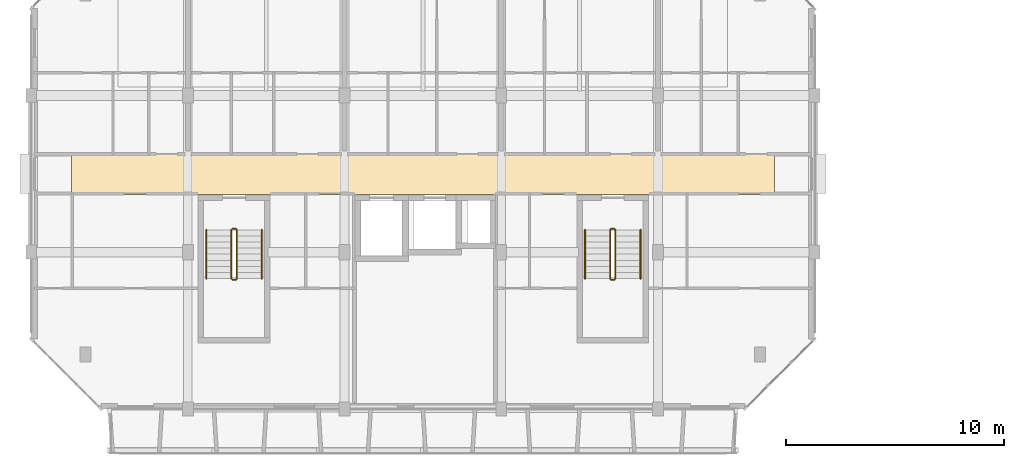
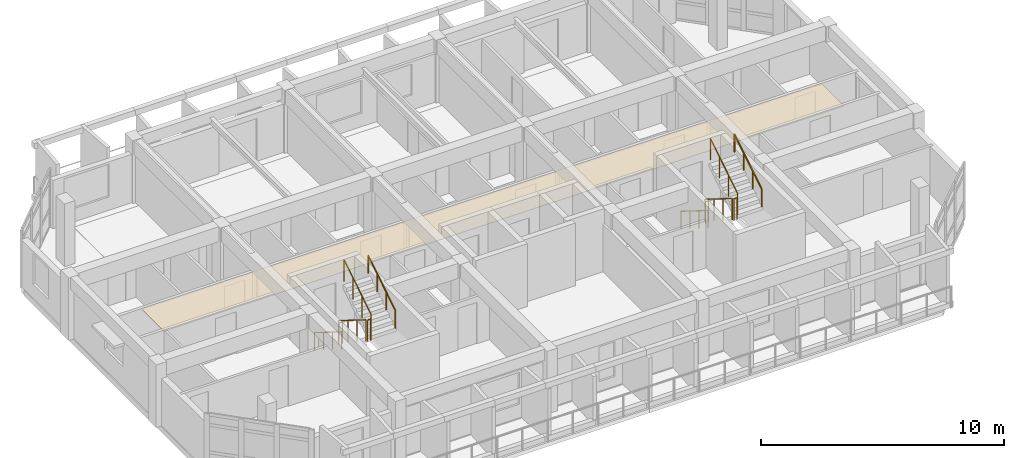
# One storey, part 45 of 51: 12 railings, 1 covering.
"""IFC4 building model written with IfcOpenShell, lengths in metres."""

import ifcopenshell
import ifcopenshell.guid

model = None  # the IFC model being written
_history = None  # IfcOwnerHistory: only IFC2X3 demands one
_inside = {}  # id of a spatial element -> (the spatial element, [elements in it])
_under = {}  # id of a project, library or spatial element -> (it, [spatial elements below it])
_declared = {}  # id of a project -> (the project, [libraries it declares])
_typed = {}  # id of a type object -> (the type object, [elements of that type])
_made_of = {}  # id of a material, layer set ... -> (it, [elements and type objects made of it])


def new_model(schema):
    """Start an empty IFC model of exactly this schema.

    Asked for "IFC4X3", IfcOpenShell would pick the latest addendum, in which some entities
    have other attributes; the version numbers below select the first issue.
    IFC2X3 requires an IfcOwnerHistory on every rooted entity: one is made here for all.
    """
    global model, _history
    if schema == "IFC4X3":
        model = ifcopenshell.file(schema_version=(4, 3, 0, 0))
    else:
        model = ifcopenshell.file(schema=schema)
    _inside.clear()
    _under.clear()
    _declared.clear()
    _typed.clear()
    _made_of.clear()
    _history = None
    if model.schema == "IFC2X3":
        org = make("IfcOrganization", Name="unknown")
        user = make(
            "IfcPersonAndOrganization",
            ThePerson=make("IfcPerson", FamilyName="unknown"),
            TheOrganization=org,
        )
        app = make(
            "IfcApplication",
            ApplicationDeveloper=org,
            Version="unknown",
            ApplicationFullName="unknown",
            ApplicationIdentifier="unknown",
        )
        _history = make(
            "IfcOwnerHistory",
            OwningUser=user,
            OwningApplication=app,
            ChangeAction="ADDED",
            CreationDate=0,
        )
    return model


def make(cls, **values):
    """One entity of the class cls with the attributes given. An attribute that is None is left unset."""
    return model.create_entity(
        cls, **{name: value for name, value in values.items() if value is not None}
    )


def rooted(cls, **values):
    """An entity with a GlobalId (a new one), such as an element, a storey or a relation."""
    return make(cls, GlobalId=ifcopenshell.guid.new(), OwnerHistory=_history, **values)


def si_unit(unit_type, name, prefix=None):
    """IfcSIUnit, for example si_unit("LENGTHUNIT", "METRE", prefix="MILLI")."""
    return make("IfcSIUnit", UnitType=unit_type, Prefix=prefix, Name=name)


def assignment(units):
    """IfcUnitAssignment: the units of a project."""
    return None if units is None else make("IfcUnitAssignment", Units=units)


def point(xyz):
    """IfcCartesianPoint."""
    return None if xyz is None else make("IfcCartesianPoint", Coordinates=xyz)


def direction(xyz):
    """IfcDirection."""
    return None if xyz is None else make("IfcDirection", DirectionRatios=xyz)


def frame(location, z_axis=None, x_axis=None):
    """IfcAxis2Placement3D, a coordinate frame: its origin and axes. An axis left out is left unset."""
    return make(
        "IfcAxis2Placement3D",
        Location=point(location),
        Axis=direction(z_axis),
        RefDirection=direction(x_axis),
    )


def frame_2d(location, x_axis=None):
    """IfcAxis2Placement2D, a coordinate frame in the plane: its origin and x axis."""
    return make(
        "IfcAxis2Placement2D", Location=point(location), RefDirection=direction(x_axis)
    )


def origin():
    """The frame at (0, 0, 0) with its axes left unset."""
    return frame((0.0, 0.0, 0.0))


def origin_2d():
    """The frame at (0, 0) in the plane with its x axis left unset."""
    return frame_2d((0.0, 0.0))


def place(relative_to, where):
    """IfcLocalPlacement: puts the frame where relative to a parent placement (None: the world)."""
    return make(
        "IfcLocalPlacement", PlacementRelTo=relative_to, RelativePlacement=where
    )


def context(
    kind, dimensions, precision=None, world=None, true_north=None, identifier=None
):
    """IfcGeometricRepresentationContext, for example the 3D "Model" context."""
    return make(
        "IfcGeometricRepresentationContext",
        ContextIdentifier=identifier,
        ContextType=kind,
        CoordinateSpaceDimension=dimensions,
        Precision=precision,
        WorldCoordinateSystem=world,
        TrueNorth=true_north,
    )


def subcontext(parent, identifier, kind, view, scale=None):
    """IfcGeometricRepresentationSubContext, for example "Body" below "Model"."""
    return make(
        "IfcGeometricRepresentationSubContext",
        ContextIdentifier=identifier,
        ContextType=kind,
        ParentContext=parent,
        TargetScale=scale,
        TargetView=view,
    )


def project(units=None, contexts=None):
    """IfcProject with its units and contexts."""
    return rooted(
        "IfcProject",
        Name="project",
        RepresentationContexts=contexts,
        UnitsInContext=assignment(units),
    )


def spatial(cls, under=None, at=None, **own):
    """A site, building, storey or space (cls), placed at a placement, below another one or the project."""
    s = rooted(cls, ObjectPlacement=at, **own)
    if under is not None:
        _under.setdefault(under.id(), (under, []))[1].append(s)
    return s


def polyline(points):
    """IfcPolyline through the points."""
    return make("IfcPolyline", Points=[point(p) for p in points])


def profile(cls, at=None, kind="AREA", **sizes):
    """A parametric profile (cls). Its sizes go by their IFC names, for example OverallWidth=200.0."""
    return make(cls, ProfileType=kind, Position=at, **sizes)


def circle(**sizes):
    """IfcCircleProfileDef."""
    return profile("IfcCircleProfileDef", **sizes)


def outline(outer, holes=None, kind="AREA"):
    """IfcArbitraryClosedProfileDef: a profile drawn as a closed curve; with holes, ...WithVoids."""
    if holes is None:
        return make("IfcArbitraryClosedProfileDef", ProfileType=kind, OuterCurve=outer)
    return make(
        "IfcArbitraryProfileDefWithVoids",
        ProfileType=kind,
        OuterCurve=outer,
        InnerCurves=holes,
    )


def extrude(swept, where, along, depth):
    """IfcExtrudedAreaSolid: the profile swept, set in the frame where, extruded along a direction by depth."""
    return make(
        "IfcExtrudedAreaSolid",
        SweptArea=swept,
        Position=where,
        ExtrudedDirection=direction(along),
        Depth=depth,
    )


def shape(context_of_items, identifier, shape_type, items):
    """IfcShapeRepresentation: the items that make up one representation, for example the "Body"."""
    return make(
        "IfcShapeRepresentation",
        ContextOfItems=context_of_items,
        RepresentationIdentifier=identifier,
        RepresentationType=shape_type,
        Items=items,
    )


def material(Name=None, Category=None):
    """IfcMaterial."""
    return make("IfcMaterial", Name=Name, Category=Category)


def layer(
    of_material, thickness, ventilated=None, Name=None, Category=None, Priority=None
):
    """IfcMaterialLayer: one layer of a wall or slab, of a material (None: an air gap)."""
    return make(
        "IfcMaterialLayer",
        Material=of_material,
        LayerThickness=thickness,
        IsVentilated=ventilated,
        Name=Name,
        Category=Category,
        Priority=Priority,
    )


def layer_set(layers, Name=None):
    """IfcMaterialLayerSet."""
    return make("IfcMaterialLayerSet", MaterialLayers=layers, LayerSetName=Name)


def made_of(thing, what):
    """Note that an element or type object is made of a material, layer set ...; save() writes the relation."""
    if what is not None:
        _made_of.setdefault(what.id(), (what, []))[1].append(thing)
    return thing


def type_object(cls, material=None, **own):
    """A type object (cls), such as IfcWallType, which elements share."""
    return made_of(rooted(cls, **own), material)


def element(
    cls,
    number,
    at=None,
    inside=None,
    cuts=None,
    type_object=None,
    material=None,
    context=None,
    identifier="Body",
    shape_type=None,
    held_by="IfcProductDefinitionShape",
    body=None,
    shapes=None,
    **own,
):
    """One element of the class cls, such as IfcWall. Its Tag is "e" and its number.

    at: its placement. inside: the storey or other place that contains it. cuts: it is an
    opening in that element (IfcRelVoidsElement). A single representation is given by context,
    identifier, shape_type and body (its items); several are given by shapes. held_by: the class
    of the entity that holds the representations. save() writes the other relations.
    """
    e = rooted(cls, Tag="e%d" % number, ObjectPlacement=at, **own)
    if body is not None:
        shapes = [shape(context, identifier, shape_type, body)]
    if shapes is not None:
        e.Representation = make(held_by, Representations=shapes)
    if inside is not None:
        _inside.setdefault(inside.id(), (inside, []))[1].append(e)
    if cuts is not None:
        rooted(
            "IfcRelVoidsElement", RelatingBuildingElement=cuts, RelatedOpeningElement=e
        )
    if type_object is not None:
        _typed.setdefault(type_object.id(), (type_object, []))[1].append(e)
    return made_of(e, material)


def aggregate(whole, parts):
    """IfcRelAggregates: a whole, such as a stair, and the parts it consists of."""
    return rooted("IfcRelAggregates", RelatingObject=whole, RelatedObjects=parts)


def save(model, path):
    """Write the relations noted so far, then the file.

    IfcRelAggregates (storeys below a building ...), IfcRelContainedInSpatialStructure (elements
    in a storey), IfcRelDefinesByType, IfcRelAssociatesMaterial and IfcRelDeclares: one each for
    every whole, place, type object, material and project.
    """
    for whole, parts in _under.values():
        aggregate(whole, parts)
    for where, things in _inside.values():
        rooted(
            "IfcRelContainedInSpatialStructure",
            RelatedElements=things,
            RelatingStructure=where,
        )
    for kind, things in _typed.values():
        rooted("IfcRelDefinesByType", RelatedObjects=things, RelatingType=kind)
    for what, things in _made_of.values():
        rooted("IfcRelAssociatesMaterial", RelatedObjects=things, RelatingMaterial=what)
    for by, libraries in _declared.values():
        rooted("IfcRelDeclares", RelatingContext=by, RelatedDefinitions=libraries)
    model.write(path)


model = new_model("IFC4")

# Units and contexts
model_context = context("Model", 3, precision=1e-05, world=origin(), true_north=direction((0.0, 1.0)))
body_context = subcontext(model_context, "Body", "Model", "MODEL_VIEW")
ifc_project = project(units=[si_unit("LENGTHUNIT", "METRE"), si_unit("AREAUNIT", "SQUARE_METRE"), si_unit("VOLUMEUNIT", "CUBIC_METRE"), si_unit("PLANEANGLEUNIT", "RADIAN"), si_unit("MASSUNIT", "GRAM", prefix="KILO")], contexts=[model_context])

# Site, building, storey
site_placement = place(None, origin())
site = spatial("IfcSite", under=ifc_project, at=site_placement, CompositionType="ELEMENT")
building_placement = place(site_placement, origin())
building = spatial("IfcBuilding", under=site, at=building_placement, Name="Ochrevale Crest", CompositionType="ELEMENT")
storey_placement = place(building_placement, frame((0.0, 0.0, 11.85009765625)))
storey = spatial("IfcBuildingStorey", under=building, at=storey_placement, Name="L03", CompositionType="ELEMENT", Elevation=11.85009765625)

# Covering
ifc_material_1 = material(Name="Gypsum plasterboard", Category="gypsum")
ifc_layer = layer(ifc_material_1, 0.02490234375)
ifc_layer_set = layer_set([ifc_layer], Name="Gypsum plasterboard")
covering_type = type_object("IfcCoveringType", Name="COV-CEIL-GYP", PredefinedType="CEILING", material=ifc_layer_set)
covering_placement = place(storey_placement, frame((0.0, 0.0, 2.27978515625)))
element("IfcCovering", 1, at=covering_placement, inside=storey, type_object=covering_type, Name="Block B L03 acoustic corridor ceiling", PredefinedType="CEILING", context=body_context, shape_type="SweptSolid", body=[
    extrude(outline(polyline([(1.85009765625, 81.860107421875), (34.14990234375, 81.860107421875), (34.14990234375, 83.739990234375), (1.85009765625, 83.739990234375), (1.85009765625, 81.860107421875)])), origin(), (0.0, 0.0, 1.0), 0.025146484375),
])

# Railings
ifc_material_2 = material(Name="Galvanised steel", Category="steel")
railing_type_1 = type_object("IfcRailingType", Name="RL-ST-GUARD", PredefinedType="BALUSTRADE", material=ifc_material_2)
railing_1_placement = place(storey_placement, frame((9.199951171875, 80.22509765625, 0.1748046875)))
element("IfcRailing", 2, at=railing_1_placement, inside=storey, type_object=railing_type_1, Name="L03 ST-B1 stair guard 1", PredefinedType="BALUSTRADE", context=body_context, shape_type="SweptSolid", body=[
    extrude(circle(Radius=0.02392578125, at=origin_2d()), frame((0.0, 0.0, 1.076171875), z_axis=(0.0, -0.847972341737, 0.530040477369), x_axis=(1.0, 0.0, 0.0)), (0.0, 0.0, 1.0), 2.6416015625),
    extrude(circle(Radius=0.02099609375, at=origin_2d()), origin(), (0.0, 0.0, 1.0), 1.052001953125),
    extrude(circle(Radius=0.02099609375, at=origin_2d()), frame((0.0, -0.74658203125, 0.466796875)), (0.0, 0.0, 1.0), 1.052001953125),
    extrude(circle(Radius=0.02099609375, at=origin_2d()), frame((0.0, -1.493408203125, 0.933349609375)), (0.0, 0.0, 1.0), 1.052001953125),
    extrude(circle(Radius=0.02099609375, at=origin_2d()), frame((0.0, -2.239990234375, 1.400146484375)), (0.0, 0.0, 1.0), 1.052001953125),
])
railing_2_placement = place(storey_placement, frame((9.25, 77.93505859375, 1.574951171875)))
element("IfcRailing", 3, at=railing_2_placement, inside=storey, type_object=railing_type_1, Name="L03 ST-B1 stair guard 2", PredefinedType="BALUSTRADE", context=body_context, shape_type="SweptSolid", body=[
    extrude(circle(Radius=0.02392578125, at=origin_2d()), frame((0.0, 0.0, 1.076171875), z_axis=(1.0, 0.0, 0.0), x_axis=(0.0, 1.0, 0.0)), (0.0, 0.0, 1.0), 0.14990234375),
    extrude(circle(Radius=0.02099609375, at=origin_2d()), origin(), (0.0, 0.0, 1.0), 1.052001953125),
    extrude(circle(Radius=0.02099609375, at=origin_2d()), frame((0.14990234375, 0.0, 0.0)), (0.0, 0.0, 1.0), 1.052001953125),
])
railing_3_placement = place(storey_placement, frame((9.449951171875, 77.985107421875, 1.75)))
element("IfcRailing", 4, at=railing_3_placement, inside=storey, type_object=railing_type_1, Name="L03 ST-B1 stair guard 3", PredefinedType="BALUSTRADE", context=body_context, shape_type="SweptSolid", body=[
    extrude(circle(Radius=0.02392578125, at=origin_2d()), frame((0.0, 0.0, 1.076171875), z_axis=(0.0, 0.848013881152, 0.529974015752), x_axis=(-1.0, 0.0, 0.0)), (0.0, 0.0, 1.0), 2.641357421875),
    extrude(circle(Radius=0.02099609375, at=origin_2d()), origin(), (0.0, 0.0, 1.0), 1.052001953125),
    extrude(circle(Radius=0.02099609375, at=origin_2d()), frame((0.0, 0.74658203125, 0.466552734375)), (0.0, 0.0, 1.0), 1.052001953125),
    extrude(circle(Radius=0.02099609375, at=origin_2d()), frame((0.0, 1.493408203125, 0.933349609375)), (0.0, 0.0, 1.0), 1.052001953125),
    extrude(circle(Radius=0.02099609375, at=origin_2d()), frame((0.0, 2.239990234375, 1.39990234375)), (0.0, 0.0, 1.0), 1.052001953125),
])
railing_4_placement = place(storey_placement, frame((9.25, 80.27490234375, 0.0)))
element("IfcRailing", 5, at=railing_4_placement, inside=storey, type_object=railing_type_1, Name="L03 ST-B1 stair guard 4", PredefinedType="BALUSTRADE", context=body_context, shape_type="SweptSolid", body=[
    extrude(circle(Radius=0.02392578125, at=origin_2d()), frame((0.0, 0.0, 1.076171875), z_axis=(1.0, 0.0, 0.0), x_axis=(0.0, 1.0, 0.0)), (0.0, 0.0, 1.0), 0.14990234375),
    extrude(circle(Radius=0.02099609375, at=origin_2d()), origin(), (0.0, 0.0, 1.0), 1.052001953125),
    extrude(circle(Radius=0.02099609375, at=origin_2d()), frame((0.14990234375, 0.0, 0.0)), (0.0, 0.0, 1.0), 1.052001953125),
])
railing_5_placement = place(storey_placement, frame((26.60009765625, 80.22509765625, 0.1748046875)))
element("IfcRailing", 6, at=railing_5_placement, inside=storey, type_object=railing_type_1, Name="L03 ST-B2 stair guard 1", PredefinedType="BALUSTRADE", context=body_context, shape_type="SweptSolid", body=[
    extrude(circle(Radius=0.02392578125, at=origin_2d()), frame((0.0, 0.0, 1.076171875), z_axis=(0.0, -0.847972341737, 0.530040477369), x_axis=(1.0, 0.0, 0.0)), (0.0, 0.0, 1.0), 2.6416015625),
    extrude(circle(Radius=0.02099609375, at=origin_2d()), origin(), (0.0, 0.0, 1.0), 1.052001953125),
    extrude(circle(Radius=0.02099609375, at=origin_2d()), frame((0.0, -0.74658203125, 0.466796875)), (0.0, 0.0, 1.0), 1.052001953125),
    extrude(circle(Radius=0.02099609375, at=origin_2d()), frame((0.0, -1.493408203125, 0.933349609375)), (0.0, 0.0, 1.0), 1.052001953125),
    extrude(circle(Radius=0.02099609375, at=origin_2d()), frame((0.0, -2.239990234375, 1.400146484375)), (0.0, 0.0, 1.0), 1.052001953125),
])
railing_6_placement = place(storey_placement, frame((26.64990234375, 77.93505859375, 1.574951171875)))
element("IfcRailing", 7, at=railing_6_placement, inside=storey, type_object=railing_type_1, Name="L03 ST-B2 stair guard 2", PredefinedType="BALUSTRADE", context=body_context, shape_type="SweptSolid", body=[
    extrude(circle(Radius=0.02392578125, at=origin_2d()), frame((0.0, 0.0, 1.076171875), z_axis=(1.0, 0.0, 0.0), x_axis=(0.0, 1.0, 0.0)), (0.0, 0.0, 1.0), 0.150146484375),
    extrude(circle(Radius=0.02099609375, at=origin_2d()), origin(), (0.0, 0.0, 1.0), 1.052001953125),
    extrude(circle(Radius=0.02099609375, at=origin_2d()), frame((0.150146484375, 0.0, 0.0)), (0.0, 0.0, 1.0), 1.052001953125),
])
railing_7_placement = place(storey_placement, frame((26.85009765625, 77.985107421875, 1.75)))
element("IfcRailing", 8, at=railing_7_placement, inside=storey, type_object=railing_type_1, Name="L03 ST-B2 stair guard 3", PredefinedType="BALUSTRADE", context=body_context, shape_type="SweptSolid", body=[
    extrude(circle(Radius=0.02392578125, at=origin_2d()), frame((0.0, 0.0, 1.076171875), z_axis=(0.0, 0.848013881152, 0.529974015752), x_axis=(-1.0, 0.0, 0.0)), (0.0, 0.0, 1.0), 2.641357421875),
    extrude(circle(Radius=0.02099609375, at=origin_2d()), origin(), (0.0, 0.0, 1.0), 1.052001953125),
    extrude(circle(Radius=0.02099609375, at=origin_2d()), frame((0.0, 0.74658203125, 0.466552734375)), (0.0, 0.0, 1.0), 1.052001953125),
    extrude(circle(Radius=0.02099609375, at=origin_2d()), frame((0.0, 1.493408203125, 0.933349609375)), (0.0, 0.0, 1.0), 1.052001953125),
    extrude(circle(Radius=0.02099609375, at=origin_2d()), frame((0.0, 2.239990234375, 1.39990234375)), (0.0, 0.0, 1.0), 1.052001953125),
])
railing_8_placement = place(storey_placement, frame((26.64990234375, 80.27490234375, 0.0)))
element("IfcRailing", 9, at=railing_8_placement, inside=storey, type_object=railing_type_1, Name="L03 ST-B2 stair guard 4", PredefinedType="BALUSTRADE", context=body_context, shape_type="SweptSolid", body=[
    extrude(circle(Radius=0.02392578125, at=origin_2d()), frame((0.0, 0.0, 1.076171875), z_axis=(1.0, 0.0, 0.0), x_axis=(0.0, 1.0, 0.0)), (0.0, 0.0, 1.0), 0.150146484375),
    extrude(circle(Radius=0.02099609375, at=origin_2d()), origin(), (0.0, 0.0, 1.0), 1.052001953125),
    extrude(circle(Radius=0.02099609375, at=origin_2d()), frame((0.150146484375, 0.0, 0.0)), (0.0, 0.0, 1.0), 1.052001953125),
])
ifc_material_3 = material(Name="Stainless steel", Category="steel")
railing_type_2 = type_object("IfcRailingType", Name="RL-ST-HRAIL", PredefinedType="HANDRAIL", material=ifc_material_3)
railing_9_placement = place(storey_placement, frame((8.050048828125, 80.22509765625, 0.1748046875)))
element("IfcRailing", 10, at=railing_9_placement, inside=storey, type_object=railing_type_2, Name="L03 ST-B1 stair handrail 1", PredefinedType="HANDRAIL", context=body_context, shape_type="SweptSolid", body=[
    extrude(circle(Radius=0.02392578125, at=origin_2d()), frame((0.0, 0.0, 0.8759765625), z_axis=(0.0, -0.847972341737, 0.530040477369), x_axis=(1.0, 0.0, 0.0)), (0.0, 0.0, 1.0), 2.6416015625),
    extrude(circle(Radius=0.02099609375, at=origin_2d()), origin(), (0.0, 0.0, 1.0), 0.851806640625),
    extrude(circle(Radius=0.02099609375, at=origin_2d()), frame((0.0, -0.74658203125, 0.466796875)), (0.0, 0.0, 1.0), 0.851806640625),
    extrude(circle(Radius=0.02099609375, at=origin_2d()), frame((0.0, -1.493408203125, 0.933349609375)), (0.0, 0.0, 1.0), 0.851806640625),
    extrude(circle(Radius=0.02099609375, at=origin_2d()), frame((0.0, -2.239990234375, 1.400146484375)), (0.0, 0.0, 1.0), 0.851806640625),
])
railing_10_placement = place(storey_placement, frame((10.60009765625, 77.985107421875, 1.75)))
element("IfcRailing", 11, at=railing_10_placement, inside=storey, type_object=railing_type_2, Name="L03 ST-B1 stair handrail 2", PredefinedType="HANDRAIL", context=body_context, shape_type="SweptSolid", body=[
    extrude(circle(Radius=0.02392578125, at=origin_2d()), frame((0.0, 0.0, 0.8759765625), z_axis=(0.0, 0.848013881152, 0.529974015752), x_axis=(-1.0, 0.0, 0.0)), (0.0, 0.0, 1.0), 2.641357421875),
    extrude(circle(Radius=0.02099609375, at=origin_2d()), origin(), (0.0, 0.0, 1.0), 0.851806640625),
    extrude(circle(Radius=0.02099609375, at=origin_2d()), frame((0.0, 0.74658203125, 0.466552734375)), (0.0, 0.0, 1.0), 0.851806640625),
    extrude(circle(Radius=0.02099609375, at=origin_2d()), frame((0.0, 1.493408203125, 0.933349609375)), (0.0, 0.0, 1.0), 0.851806640625),
    extrude(circle(Radius=0.02099609375, at=origin_2d()), frame((0.0, 2.239990234375, 1.39990234375)), (0.0, 0.0, 1.0), 0.851806640625),
])
railing_11_placement = place(storey_placement, frame((25.449951171875, 80.22509765625, 0.1748046875)))
element("IfcRailing", 12, at=railing_11_placement, inside=storey, type_object=railing_type_2, Name="L03 ST-B2 stair handrail 1", PredefinedType="HANDRAIL", context=body_context, shape_type="SweptSolid", body=[
    extrude(circle(Radius=0.02392578125, at=origin_2d()), frame((0.0, 0.0, 0.8759765625), z_axis=(0.0, -0.847972341737, 0.530040477369), x_axis=(1.0, 0.0, 0.0)), (0.0, 0.0, 1.0), 2.6416015625),
    extrude(circle(Radius=0.02099609375, at=origin_2d()), origin(), (0.0, 0.0, 1.0), 0.851806640625),
    extrude(circle(Radius=0.02099609375, at=origin_2d()), frame((0.0, -0.74658203125, 0.466796875)), (0.0, 0.0, 1.0), 0.851806640625),
    extrude(circle(Radius=0.02099609375, at=origin_2d()), frame((0.0, -1.493408203125, 0.933349609375)), (0.0, 0.0, 1.0), 0.851806640625),
    extrude(circle(Radius=0.02099609375, at=origin_2d()), frame((0.0, -2.239990234375, 1.400146484375)), (0.0, 0.0, 1.0), 0.851806640625),
])
railing_12_placement = place(storey_placement, frame((28.0, 77.985107421875, 1.75)))
element("IfcRailing", 13, at=railing_12_placement, inside=storey, type_object=railing_type_2, Name="L03 ST-B2 stair handrail 2", PredefinedType="HANDRAIL", context=body_context, shape_type="SweptSolid", body=[
    extrude(circle(Radius=0.02392578125, at=origin_2d()), frame((0.0, 0.0, 0.8759765625), z_axis=(0.0, 0.848013881152, 0.529974015752), x_axis=(-1.0, 0.0, 0.0)), (0.0, 0.0, 1.0), 2.641357421875),
    extrude(circle(Radius=0.02099609375, at=origin_2d()), origin(), (0.0, 0.0, 1.0), 0.851806640625),
    extrude(circle(Radius=0.02099609375, at=origin_2d()), frame((0.0, 0.74658203125, 0.466552734375)), (0.0, 0.0, 1.0), 0.851806640625),
    extrude(circle(Radius=0.02099609375, at=origin_2d()), frame((0.0, 1.493408203125, 0.933349609375)), (0.0, 0.0, 1.0), 0.851806640625),
    extrude(circle(Radius=0.02099609375, at=origin_2d()), frame((0.0, 2.239990234375, 1.39990234375)), (0.0, 0.0, 1.0), 0.851806640625),
])

save(model, "model.ifc")
